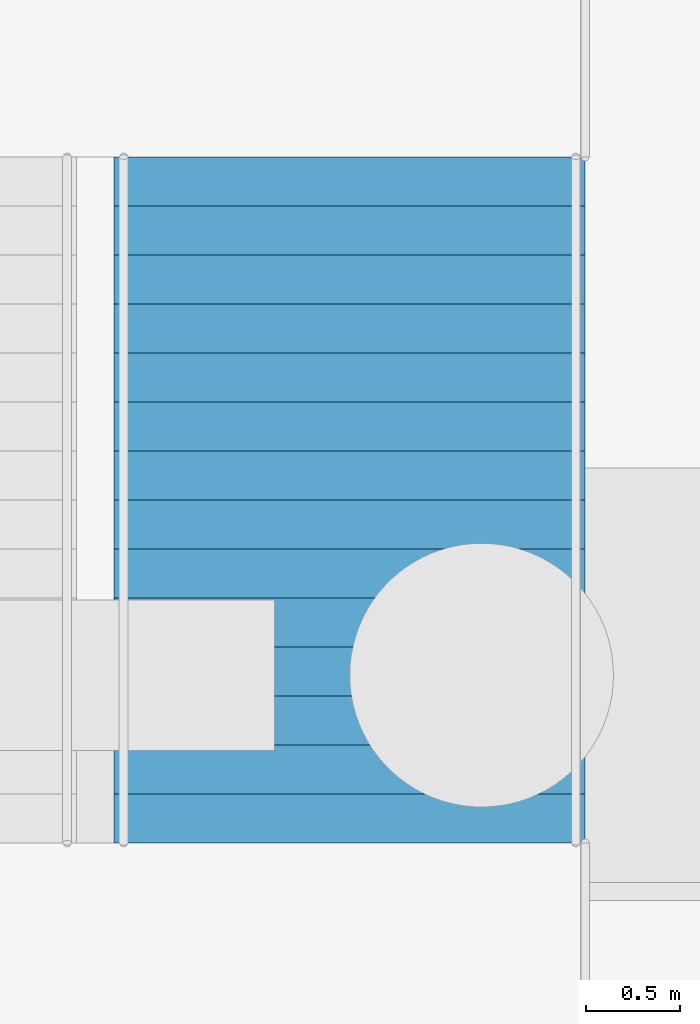
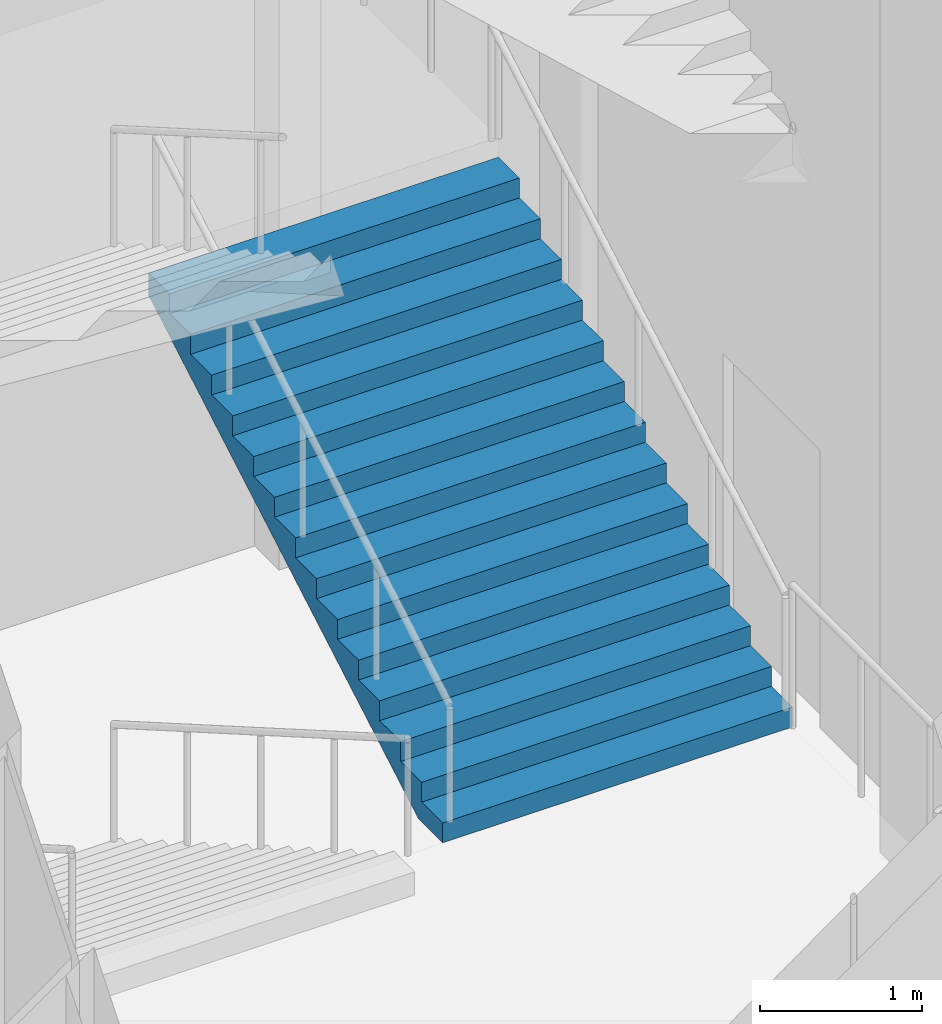
# One storey, part 66 of 113: 1 stair flight, 1 element without a shape of its own.
"""IFC4 building model written with IfcOpenShell, lengths in metres."""

from ifc_helpers import new_model, si_unit, direction, frame, origin, place, context, subcontext, project, spatial, triangles, material, type_object, element, aggregate, save


model = new_model("IFC4")

# Units and contexts
model_context = context("Model", 3, precision=1e-05, world=origin(), true_north=direction((0.0, 1.0)))
body_context = subcontext(model_context, "Body", "Model", "MODEL_VIEW")
ifc_project = project(units=[si_unit("LENGTHUNIT", "METRE"), si_unit("AREAUNIT", "SQUARE_METRE"), si_unit("VOLUMEUNIT", "CUBIC_METRE"), si_unit("PLANEANGLEUNIT", "RADIAN"), si_unit("MASSUNIT", "GRAM", prefix="KILO")], contexts=[model_context])

# Site, building, storey
site_placement = place(None, origin())
site = spatial("IfcSite", under=ifc_project, at=site_placement, CompositionType="ELEMENT")
building_placement = place(site_placement, origin())
building = spatial("IfcBuilding", under=site, at=building_placement, Name="Hakoniwa Tower and Hamabe Station Hall", CompositionType="ELEMENT")
storey_placement = place(building_placement, origin())
storey = spatial("IfcBuildingStorey", under=building, at=storey_placement, Name="L01", CompositionType="ELEMENT", Elevation=0.0)

# Stair, stair flight
ifc_material_1 = material(Name="Concrete C40", Category="concrete")
stair_type = type_object("IfcStairType", Name="STAIR 2500 15X150", PredefinedType="HALF_TURN_STAIR", material=ifc_material_1)
stair_placement = place(storey_placement, origin())
stair = element("IfcStair", 1, at=stair_placement, inside=storey, type_object=stair_type, Name="Escape stair PS1", PredefinedType="HALF_TURN_STAIR")
ifc_material_2 = material(Name="Concrete C40", Category="concrete")
stair_flight_type = type_object("IfcStairFlightType", Name="STAIR FLIGHT 2500", PredefinedType="STRAIGHT", material=ifc_material_2)
stair_flight_placement = place(storey_placement, frame((-45.10009765625, 18.7099609375, 2.25), z_axis=(0.0, 0.0, 1.0), x_axis=(0.0, 1.0, 0.0)))
stair_flight = element("IfcStairFlight", 2, at=stair_flight_placement, type_object=stair_flight_type, Name="PS1 flight 2", NumberOfRisers=15, NumberOfTreads=14, PredefinedType="STRAIGHT", RiserHeight=0.15, TreadLength=0.26, context=body_context, shape_type="Tessellation", body=[
    triangles([(0.0, 1.25, 0.0), (0.260009765625, 1.25, 0.0), (0.300048828125, 1.25, 0.0), (0.52001953125, 1.25, 0.126953125), (0.780029296875, 1.25, 0.27685546875), (1.0400390625, 1.25, 0.427001953125), (1.300048828125, 1.25, 0.576904296875), (1.56005859375, 1.25, 0.72705078125), (1.820068359375, 1.25, 0.876953125), (2.080078125, 1.25, 1.02685546875), (2.340087890625, 1.25, 1.177001953125), (2.60009765625, 1.25, 1.326904296875), (2.860107421875, 1.25, 1.47705078125), (3.1201171875, 1.25, 1.626953125), (3.3798828125, 1.25, 1.77685546875), (3.639892578125, 1.25, 1.927001953125), (3.639892578125, 1.25, 2.10009765625), (3.3798828125, 1.25, 2.10009765625), (3.3798828125, 1.25, 1.949951171875), (3.1201171875, 1.25, 1.949951171875), (3.1201171875, 1.25, 1.800048828125), (2.860107421875, 1.25, 1.800048828125), (2.860107421875, 1.25, 1.64990234375), (2.60009765625, 1.25, 1.64990234375), (2.60009765625, 1.25, 1.5), (2.340087890625, 1.25, 1.5), (2.340087890625, 1.25, 1.35009765625), (2.080078125, 1.25, 1.35009765625), (2.080078125, 1.25, 1.199951171875), (1.820068359375, 1.25, 1.199951171875), (1.820068359375, 1.25, 1.050048828125), (1.56005859375, 1.25, 1.050048828125), (1.56005859375, 1.25, 0.89990234375), (1.300048828125, 1.25, 0.89990234375), (1.300048828125, 1.25, 0.75), (1.0400390625, 1.25, 0.75), (1.0400390625, 1.25, 0.60009765625), (0.780029296875, 1.25, 0.60009765625), (0.780029296875, 1.25, 0.449951171875), (0.52001953125, 1.25, 0.449951171875), (0.52001953125, 1.25, 0.300048828125), (0.300048828125, 1.25, 0.300048828125), (0.260009765625, 1.25, 0.300048828125), (0.260009765625, 1.25, 0.14990234375), (0.0, 1.25, 0.14990234375), (0.0, 0.06005859375, 0.0), (0.260009765625, 0.06005859375, 0.0), (0.300048828125, 0.06005859375, 0.0), (0.52001953125, 0.06005859375, 0.126953125), (0.780029296875, 0.06005859375, 0.27685546875), (1.0400390625, 0.06005859375, 0.427001953125), (1.300048828125, 0.06005859375, 0.576904296875), (1.56005859375, 0.06005859375, 0.72705078125), (1.820068359375, 0.06005859375, 0.876953125), (2.080078125, 0.06005859375, 1.02685546875), (2.340087890625, 0.06005859375, 1.177001953125), (2.60009765625, 0.06005859375, 1.326904296875), (2.860107421875, 0.06005859375, 1.47705078125), (3.1201171875, 0.06005859375, 1.626953125), (3.3798828125, 0.06005859375, 1.77685546875), (3.639892578125, 0.06005859375, 1.927001953125), (3.639892578125, 0.06005859375, 2.10009765625), (3.3798828125, 0.06005859375, 2.10009765625), (3.3798828125, 0.06005859375, 1.949951171875), (3.1201171875, 0.06005859375, 1.949951171875), (3.1201171875, 0.06005859375, 1.800048828125), (2.860107421875, 0.06005859375, 1.800048828125), (2.860107421875, 0.06005859375, 1.64990234375), (2.60009765625, 0.06005859375, 1.64990234375), (2.60009765625, 0.06005859375, 1.5), (2.340087890625, 0.06005859375, 1.5), (2.340087890625, 0.06005859375, 1.35009765625), (2.080078125, 0.06005859375, 1.35009765625), (2.080078125, 0.06005859375, 1.199951171875), (1.820068359375, 0.06005859375, 1.199951171875), (1.820068359375, 0.06005859375, 1.050048828125), (1.56005859375, 0.06005859375, 1.050048828125), (1.56005859375, 0.06005859375, 0.89990234375), (1.300048828125, 0.06005859375, 0.89990234375), (1.300048828125, 0.06005859375, 0.75), (1.0400390625, 0.06005859375, 0.75), (1.0400390625, 0.06005859375, 0.60009765625), (0.780029296875, 0.06005859375, 0.60009765625), (0.780029296875, 0.06005859375, 0.449951171875), (0.52001953125, 0.06005859375, 0.449951171875), (0.52001953125, 0.06005859375, 0.300048828125), (0.300048828125, 0.06005859375, 0.300048828125), (0.260009765625, 0.06005859375, 0.300048828125), (0.260009765625, 0.06005859375, 0.14990234375), (0.0, 0.06005859375, 0.14990234375), (0.0, 0.02001953125, 0.0), (0.260009765625, 0.02001953125, 0.0), (0.300048828125, 0.02001953125, 0.0), (0.52001953125, 0.02001953125, 0.126953125), (0.780029296875, 0.02001953125, 0.27685546875), (1.0400390625, 0.02001953125, 0.427001953125), (1.300048828125, 0.02001953125, 0.576904296875), (1.56005859375, 0.02001953125, 0.72705078125), (1.820068359375, 0.02001953125, 0.876953125), (2.080078125, 0.02001953125, 1.02685546875), (2.340087890625, 0.02001953125, 1.177001953125), (2.60009765625, 0.02001953125, 1.326904296875), (2.860107421875, 0.02001953125, 1.47705078125), (3.1201171875, 0.02001953125, 1.626953125), (3.3798828125, 0.02001953125, 1.77685546875), (3.639892578125, 0.02001953125, 1.927001953125), (3.639892578125, 0.02001953125, 2.10009765625), (3.3798828125, 0.02001953125, 2.10009765625), (3.3798828125, 0.02001953125, 1.949951171875), (3.1201171875, 0.02001953125, 1.949951171875), (3.1201171875, 0.02001953125, 1.800048828125), (2.860107421875, 0.02001953125, 1.800048828125), (2.860107421875, 0.02001953125, 1.64990234375), (2.60009765625, 0.02001953125, 1.64990234375), (2.60009765625, 0.02001953125, 1.5), (2.340087890625, 0.02001953125, 1.5), (2.340087890625, 0.02001953125, 1.35009765625), (2.080078125, 0.02001953125, 1.35009765625), (2.080078125, 0.02001953125, 1.199951171875), (1.820068359375, 0.02001953125, 1.199951171875), (1.820068359375, 0.02001953125, 1.050048828125), (1.56005859375, 0.02001953125, 1.050048828125), (1.56005859375, 0.02001953125, 0.89990234375), (1.300048828125, 0.02001953125, 0.89990234375), (1.300048828125, 0.02001953125, 0.75), (1.0400390625, 0.02001953125, 0.75), (1.0400390625, 0.02001953125, 0.60009765625), (0.780029296875, 0.02001953125, 0.60009765625), (0.780029296875, 0.02001953125, 0.449951171875), (0.52001953125, 0.02001953125, 0.449951171875), (0.52001953125, 0.02001953125, 0.300048828125), (0.300048828125, 0.02001953125, 0.300048828125), (0.260009765625, 0.02001953125, 0.300048828125), (0.260009765625, 0.02001953125, 0.14990234375), (0.0, 0.02001953125, 0.14990234375), (0.0, -0.02001953125, 0.0), (0.260009765625, -0.02001953125, 0.0), (0.300048828125, -0.02001953125, 0.0), (0.52001953125, -0.02001953125, 0.126953125), (0.780029296875, -0.02001953125, 0.27685546875), (1.0400390625, -0.02001953125, 0.427001953125), (1.300048828125, -0.02001953125, 0.576904296875), (1.56005859375, -0.02001953125, 0.72705078125), (1.820068359375, -0.02001953125, 0.876953125), (2.080078125, -0.02001953125, 1.02685546875), (2.340087890625, -0.02001953125, 1.177001953125), (2.60009765625, -0.02001953125, 1.326904296875), (2.860107421875, -0.02001953125, 1.47705078125), (3.1201171875, -0.02001953125, 1.626953125), (3.3798828125, -0.02001953125, 1.77685546875), (3.639892578125, -0.02001953125, 1.927001953125), (3.639892578125, -0.02001953125, 2.10009765625), (3.3798828125, -0.02001953125, 2.10009765625), (3.3798828125, -0.02001953125, 1.949951171875), (3.1201171875, -0.02001953125, 1.949951171875), (3.1201171875, -0.02001953125, 1.800048828125), (2.860107421875, -0.02001953125, 1.800048828125), (2.860107421875, -0.02001953125, 1.64990234375), (2.60009765625, -0.02001953125, 1.64990234375), (2.60009765625, -0.02001953125, 1.5), (2.340087890625, -0.02001953125, 1.5), (2.340087890625, -0.02001953125, 1.35009765625), (2.080078125, -0.02001953125, 1.35009765625), (2.080078125, -0.02001953125, 1.199951171875), (1.820068359375, -0.02001953125, 1.199951171875), (1.820068359375, -0.02001953125, 1.050048828125), (1.56005859375, -0.02001953125, 1.050048828125), (1.56005859375, -0.02001953125, 0.89990234375), (1.300048828125, -0.02001953125, 0.89990234375), (1.300048828125, -0.02001953125, 0.75), (1.0400390625, -0.02001953125, 0.75), (1.0400390625, -0.02001953125, 0.60009765625), (0.780029296875, -0.02001953125, 0.60009765625), (0.780029296875, -0.02001953125, 0.449951171875), (0.52001953125, -0.02001953125, 0.449951171875), (0.52001953125, -0.02001953125, 0.300048828125), (0.300048828125, -0.02001953125, 0.300048828125), (0.260009765625, -0.02001953125, 0.300048828125), (0.260009765625, -0.02001953125, 0.14990234375), (0.0, -0.02001953125, 0.14990234375), (0.0, -0.06005859375, 0.0), (0.260009765625, -0.06005859375, 0.0), (0.300048828125, -0.06005859375, 0.0), (0.52001953125, -0.06005859375, 0.126953125), (0.780029296875, -0.06005859375, 0.27685546875), (1.0400390625, -0.06005859375, 0.427001953125), (1.300048828125, -0.06005859375, 0.576904296875), (1.56005859375, -0.06005859375, 0.72705078125), (1.820068359375, -0.06005859375, 0.876953125), (2.080078125, -0.06005859375, 1.02685546875), (2.340087890625, -0.06005859375, 1.177001953125), (2.60009765625, -0.06005859375, 1.326904296875), (2.860107421875, -0.06005859375, 1.47705078125), (3.1201171875, -0.06005859375, 1.626953125), (3.3798828125, -0.06005859375, 1.77685546875), (3.639892578125, -0.06005859375, 1.927001953125), (3.639892578125, -0.06005859375, 2.10009765625), (3.3798828125, -0.06005859375, 2.10009765625), (3.3798828125, -0.06005859375, 1.949951171875), (3.1201171875, -0.06005859375, 1.949951171875), (3.1201171875, -0.06005859375, 1.800048828125), (2.860107421875, -0.06005859375, 1.800048828125), (2.860107421875, -0.06005859375, 1.64990234375), (2.60009765625, -0.06005859375, 1.64990234375), (2.60009765625, -0.06005859375, 1.5), (2.340087890625, -0.06005859375, 1.5), (2.340087890625, -0.06005859375, 1.35009765625), (2.080078125, -0.06005859375, 1.35009765625), (2.080078125, -0.06005859375, 1.199951171875), (1.820068359375, -0.06005859375, 1.199951171875), (1.820068359375, -0.06005859375, 1.050048828125), (1.56005859375, -0.06005859375, 1.050048828125), (1.56005859375, -0.06005859375, 0.89990234375), (1.300048828125, -0.06005859375, 0.89990234375), (1.300048828125, -0.06005859375, 0.75), (1.0400390625, -0.06005859375, 0.75), (1.0400390625, -0.06005859375, 0.60009765625), (0.780029296875, -0.06005859375, 0.60009765625), (0.780029296875, -0.06005859375, 0.449951171875), (0.52001953125, -0.06005859375, 0.449951171875), (0.52001953125, -0.06005859375, 0.300048828125), (0.300048828125, -0.06005859375, 0.300048828125), (0.260009765625, -0.06005859375, 0.300048828125), (0.260009765625, -0.06005859375, 0.14990234375), (0.0, -0.06005859375, 0.14990234375), (0.0, -1.25, 0.0), (0.260009765625, -1.25, 0.0), (0.300048828125, -1.25, 0.0), (0.52001953125, -1.25, 0.126953125), (0.780029296875, -1.25, 0.27685546875), (1.0400390625, -1.25, 0.427001953125), (1.300048828125, -1.25, 0.576904296875), (1.56005859375, -1.25, 0.72705078125), (1.820068359375, -1.25, 0.876953125), (2.080078125, -1.25, 1.02685546875), (2.340087890625, -1.25, 1.177001953125), (2.60009765625, -1.25, 1.326904296875), (2.860107421875, -1.25, 1.47705078125), (3.1201171875, -1.25, 1.626953125), (3.3798828125, -1.25, 1.77685546875), (3.639892578125, -1.25, 1.927001953125), (3.639892578125, -1.25, 2.10009765625), (3.3798828125, -1.25, 2.10009765625), (3.3798828125, -1.25, 1.949951171875), (3.1201171875, -1.25, 1.949951171875), (3.1201171875, -1.25, 1.800048828125), (2.860107421875, -1.25, 1.800048828125), (2.860107421875, -1.25, 1.64990234375), (2.60009765625, -1.25, 1.64990234375), (2.60009765625, -1.25, 1.5), (2.340087890625, -1.25, 1.5), (2.340087890625, -1.25, 1.35009765625), (2.080078125, -1.25, 1.35009765625), (2.080078125, -1.25, 1.199951171875), (1.820068359375, -1.25, 1.199951171875), (1.820068359375, -1.25, 1.050048828125), (1.56005859375, -1.25, 1.050048828125), (1.56005859375, -1.25, 0.89990234375), (1.300048828125, -1.25, 0.89990234375), (1.300048828125, -1.25, 0.75), (1.0400390625, -1.25, 0.75), (1.0400390625, -1.25, 0.60009765625), (0.780029296875, -1.25, 0.60009765625), (0.780029296875, -1.25, 0.449951171875), (0.52001953125, -1.25, 0.449951171875), (0.52001953125, -1.25, 0.300048828125), (0.300048828125, -1.25, 0.300048828125), (0.260009765625, -1.25, 0.300048828125), (0.260009765625, -1.25, 0.14990234375), (0.0, -1.25, 0.14990234375)], [[2, 45, 44], [227, 269, 270], [2, 1, 45], [227, 270, 226], [3, 43, 42], [228, 267, 268], [3, 44, 43], [228, 268, 269], [3, 2, 44], [228, 269, 227], [4, 42, 41], [229, 266, 267], [4, 3, 42], [229, 267, 228], [5, 40, 39], [230, 264, 265], [5, 41, 40], [230, 265, 266], [5, 4, 41], [230, 266, 229], [6, 38, 37], [231, 262, 263], [6, 39, 38], [231, 263, 264], [6, 5, 39], [231, 264, 230], [7, 36, 35], [232, 260, 261], [7, 37, 36], [232, 261, 262], [7, 6, 37], [232, 262, 231], [8, 34, 33], [233, 258, 259], [8, 35, 34], [233, 259, 260], [8, 7, 35], [233, 260, 232], [9, 32, 31], [234, 256, 257], [9, 33, 32], [234, 257, 258], [9, 8, 33], [234, 258, 233], [10, 30, 29], [235, 254, 255], [10, 31, 30], [235, 255, 256], [10, 9, 31], [235, 256, 234], [11, 28, 27], [236, 252, 253], [11, 29, 28], [236, 253, 254], [11, 10, 29], [236, 254, 235], [12, 26, 25], [237, 250, 251], [12, 27, 26], [237, 251, 252], [12, 11, 27], [237, 252, 236], [13, 24, 23], [238, 248, 249], [13, 25, 24], [238, 249, 250], [13, 12, 25], [238, 250, 237], [14, 22, 21], [239, 246, 247], [14, 23, 22], [239, 247, 248], [14, 13, 23], [239, 248, 238], [15, 20, 19], [240, 244, 245], [15, 21, 20], [240, 245, 246], [15, 14, 21], [240, 246, 239], [16, 18, 17], [241, 242, 243], [16, 19, 18], [241, 243, 244], [16, 15, 19], [241, 244, 240], [1, 2, 47], [1, 47, 46], [46, 47, 92], [46, 92, 91], [91, 92, 137], [91, 137, 136], [136, 137, 182], [136, 182, 181], [181, 182, 227], [181, 227, 226], [2, 3, 48], [2, 48, 47], [47, 48, 93], [47, 93, 92], [92, 93, 138], [92, 138, 137], [137, 138, 183], [137, 183, 182], [182, 183, 228], [182, 228, 227], [3, 4, 49], [3, 49, 48], [48, 49, 94], [48, 94, 93], [93, 94, 139], [93, 139, 138], [138, 139, 184], [138, 184, 183], [183, 184, 229], [183, 229, 228], [4, 5, 50], [4, 50, 49], [49, 50, 95], [49, 95, 94], [94, 95, 140], [94, 140, 139], [139, 140, 185], [139, 185, 184], [184, 185, 230], [184, 230, 229], [5, 6, 51], [5, 51, 50], [50, 51, 96], [50, 96, 95], [95, 96, 141], [95, 141, 140], [140, 141, 186], [140, 186, 185], [185, 186, 231], [185, 231, 230], [6, 7, 52], [6, 52, 51], [51, 52, 97], [51, 97, 96], [96, 97, 142], [96, 142, 141], [141, 142, 187], [141, 187, 186], [186, 187, 232], [186, 232, 231], [7, 8, 53], [7, 53, 52], [52, 53, 98], [52, 98, 97], [97, 98, 143], [97, 143, 142], [142, 143, 188], [142, 188, 187], [187, 188, 233], [187, 233, 232], [8, 9, 54], [8, 54, 53], [53, 54, 99], [53, 99, 98], [98, 99, 144], [98, 144, 143], [143, 144, 189], [143, 189, 188], [188, 189, 234], [188, 234, 233], [9, 10, 55], [9, 55, 54], [54, 55, 100], [54, 100, 99], [99, 100, 145], [99, 145, 144], [144, 145, 190], [144, 190, 189], [189, 190, 235], [189, 235, 234], [10, 11, 56], [10, 56, 55], [55, 56, 101], [55, 101, 100], [100, 101, 146], [100, 146, 145], [145, 146, 191], [145, 191, 190], [190, 191, 236], [190, 236, 235], [11, 12, 57], [11, 57, 56], [56, 57, 102], [56, 102, 101], [101, 102, 147], [101, 147, 146], [146, 147, 192], [146, 192, 191], [191, 192, 237], [191, 237, 236], [12, 13, 58], [12, 58, 57], [57, 58, 103], [57, 103, 102], [102, 103, 148], [102, 148, 147], [147, 148, 193], [147, 193, 192], [192, 193, 238], [192, 238, 237], [13, 14, 59], [13, 59, 58], [58, 59, 104], [58, 104, 103], [103, 104, 149], [103, 149, 148], [148, 149, 194], [148, 194, 193], [193, 194, 239], [193, 239, 238], [14, 15, 60], [14, 60, 59], [59, 60, 105], [59, 105, 104], [104, 105, 150], [104, 150, 149], [149, 150, 195], [149, 195, 194], [194, 195, 240], [194, 240, 239], [15, 16, 61], [15, 61, 60], [60, 61, 106], [60, 106, 105], [105, 106, 151], [105, 151, 150], [150, 151, 196], [150, 196, 195], [195, 196, 241], [195, 241, 240], [16, 17, 62], [16, 62, 61], [61, 62, 107], [61, 107, 106], [106, 107, 152], [106, 152, 151], [151, 152, 197], [151, 197, 196], [196, 197, 242], [196, 242, 241], [17, 18, 63], [17, 63, 62], [62, 63, 108], [62, 108, 107], [107, 108, 153], [107, 153, 152], [152, 153, 198], [152, 198, 197], [197, 198, 243], [197, 243, 242], [18, 19, 64], [18, 64, 63], [63, 64, 109], [63, 109, 108], [108, 109, 154], [108, 154, 153], [153, 154, 199], [153, 199, 198], [198, 199, 244], [198, 244, 243], [19, 20, 65], [19, 65, 64], [64, 65, 110], [64, 110, 109], [109, 110, 155], [109, 155, 154], [154, 155, 200], [154, 200, 199], [199, 200, 245], [199, 245, 244], [20, 21, 66], [20, 66, 65], [65, 66, 111], [65, 111, 110], [110, 111, 156], [110, 156, 155], [155, 156, 201], [155, 201, 200], [200, 201, 246], [200, 246, 245], [21, 22, 67], [21, 67, 66], [66, 67, 112], [66, 112, 111], [111, 112, 157], [111, 157, 156], [156, 157, 202], [156, 202, 201], [201, 202, 247], [201, 247, 246], [22, 23, 68], [22, 68, 67], [67, 68, 113], [67, 113, 112], [112, 113, 158], [112, 158, 157], [157, 158, 203], [157, 203, 202], [202, 203, 248], [202, 248, 247], [23, 24, 69], [23, 69, 68], [68, 69, 114], [68, 114, 113], [113, 114, 159], [113, 159, 158], [158, 159, 204], [158, 204, 203], [203, 204, 249], [203, 249, 248], [24, 25, 70], [24, 70, 69], [69, 70, 115], [69, 115, 114], [114, 115, 160], [114, 160, 159], [159, 160, 205], [159, 205, 204], [204, 205, 250], [204, 250, 249], [25, 26, 71], [25, 71, 70], [70, 71, 116], [70, 116, 115], [115, 116, 161], [115, 161, 160], [160, 161, 206], [160, 206, 205], [205, 206, 251], [205, 251, 250], [26, 27, 72], [26, 72, 71], [71, 72, 117], [71, 117, 116], [116, 117, 162], [116, 162, 161], [161, 162, 207], [161, 207, 206], [206, 207, 252], [206, 252, 251], [27, 28, 73], [27, 73, 72], [72, 73, 118], [72, 118, 117], [117, 118, 163], [117, 163, 162], [162, 163, 208], [162, 208, 207], [207, 208, 253], [207, 253, 252], [28, 29, 74], [28, 74, 73], [73, 74, 119], [73, 119, 118], [118, 119, 164], [118, 164, 163], [163, 164, 209], [163, 209, 208], [208, 209, 254], [208, 254, 253], [29, 30, 75], [29, 75, 74], [74, 75, 120], [74, 120, 119], [119, 120, 165], [119, 165, 164], [164, 165, 210], [164, 210, 209], [209, 210, 255], [209, 255, 254], [30, 31, 76], [30, 76, 75], [75, 76, 121], [75, 121, 120], [120, 121, 166], [120, 166, 165], [165, 166, 211], [165, 211, 210], [210, 211, 256], [210, 256, 255], [31, 32, 77], [31, 77, 76], [76, 77, 122], [76, 122, 121], [121, 122, 167], [121, 167, 166], [166, 167, 212], [166, 212, 211], [211, 212, 257], [211, 257, 256], [32, 33, 78], [32, 78, 77], [77, 78, 123], [77, 123, 122], [122, 123, 168], [122, 168, 167], [167, 168, 213], [167, 213, 212], [212, 213, 258], [212, 258, 257], [33, 34, 79], [33, 79, 78], [78, 79, 124], [78, 124, 123], [123, 124, 169], [123, 169, 168], [168, 169, 214], [168, 214, 213], [213, 214, 259], [213, 259, 258], [34, 35, 80], [34, 80, 79], [79, 80, 125], [79, 125, 124], [124, 125, 170], [124, 170, 169], [169, 170, 215], [169, 215, 214], [214, 215, 260], [214, 260, 259], [35, 36, 81], [35, 81, 80], [80, 81, 126], [80, 126, 125], [125, 126, 171], [125, 171, 170], [170, 171, 216], [170, 216, 215], [215, 216, 261], [215, 261, 260], [36, 37, 82], [36, 82, 81], [81, 82, 127], [81, 127, 126], [126, 127, 172], [126, 172, 171], [171, 172, 217], [171, 217, 216], [216, 217, 262], [216, 262, 261], [37, 38, 83], [37, 83, 82], [82, 83, 128], [82, 128, 127], [127, 128, 173], [127, 173, 172], [172, 173, 218], [172, 218, 217], [217, 218, 263], [217, 263, 262], [38, 39, 84], [38, 84, 83], [83, 84, 129], [83, 129, 128], [128, 129, 174], [128, 174, 173], [173, 174, 219], [173, 219, 218], [218, 219, 264], [218, 264, 263], [39, 40, 85], [39, 85, 84], [84, 85, 130], [84, 130, 129], [129, 130, 175], [129, 175, 174], [174, 175, 220], [174, 220, 219], [219, 220, 265], [219, 265, 264], [40, 41, 86], [40, 86, 85], [85, 86, 131], [85, 131, 130], [130, 131, 176], [130, 176, 175], [175, 176, 221], [175, 221, 220], [220, 221, 266], [220, 266, 265], [41, 42, 87], [41, 87, 86], [86, 87, 132], [86, 132, 131], [131, 132, 177], [131, 177, 176], [176, 177, 222], [176, 222, 221], [221, 222, 267], [221, 267, 266], [42, 43, 88], [42, 88, 87], [87, 88, 133], [87, 133, 132], [132, 133, 178], [132, 178, 177], [177, 178, 223], [177, 223, 222], [222, 223, 268], [222, 268, 267], [43, 44, 89], [43, 89, 88], [88, 89, 134], [88, 134, 133], [133, 134, 179], [133, 179, 178], [178, 179, 224], [178, 224, 223], [223, 224, 269], [223, 269, 268], [44, 45, 90], [44, 90, 89], [89, 90, 135], [89, 135, 134], [134, 135, 180], [134, 180, 179], [179, 180, 225], [179, 225, 224], [224, 225, 270], [224, 270, 269], [45, 1, 46], [45, 46, 90], [90, 46, 91], [90, 91, 135], [135, 91, 136], [135, 136, 180], [180, 136, 181], [180, 181, 225], [225, 181, 226], [225, 226, 270]], closed=True),
])
aggregate(stair, [stair_flight])

save(model, "model.ifc")
